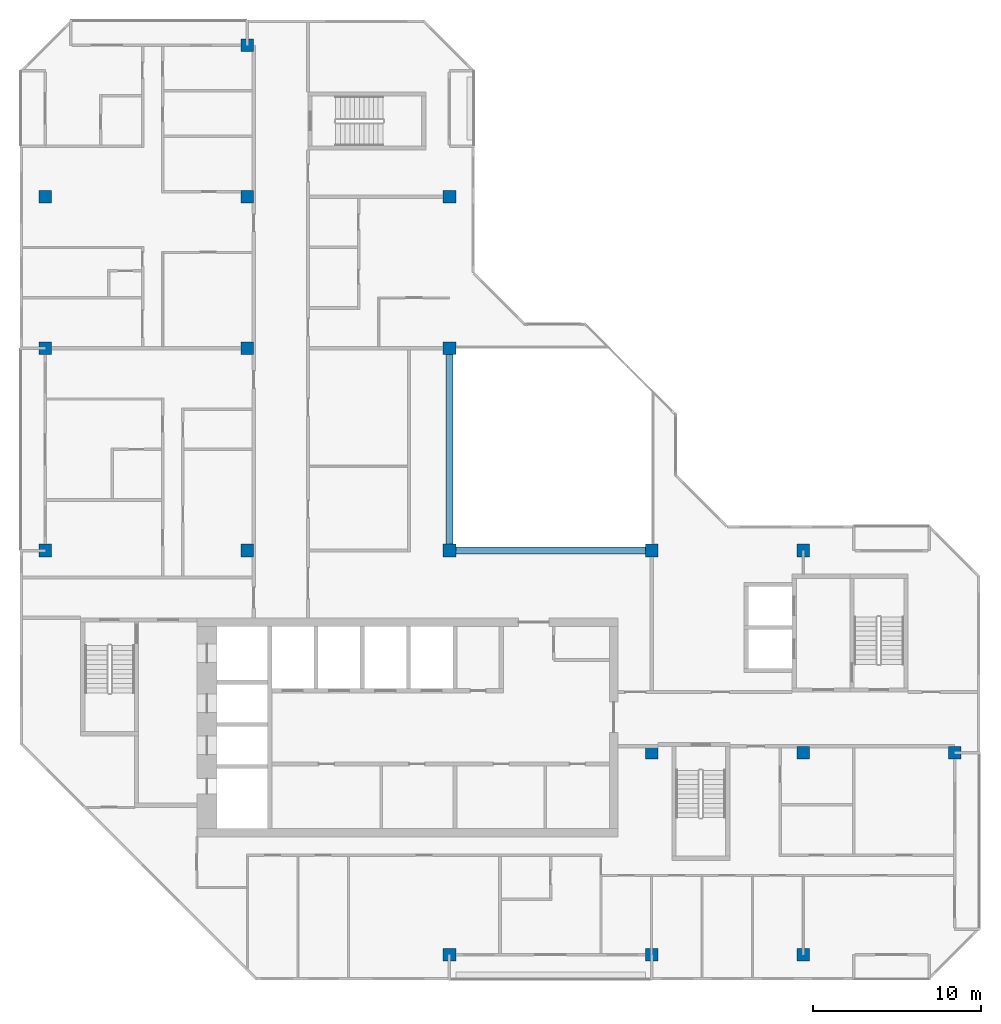
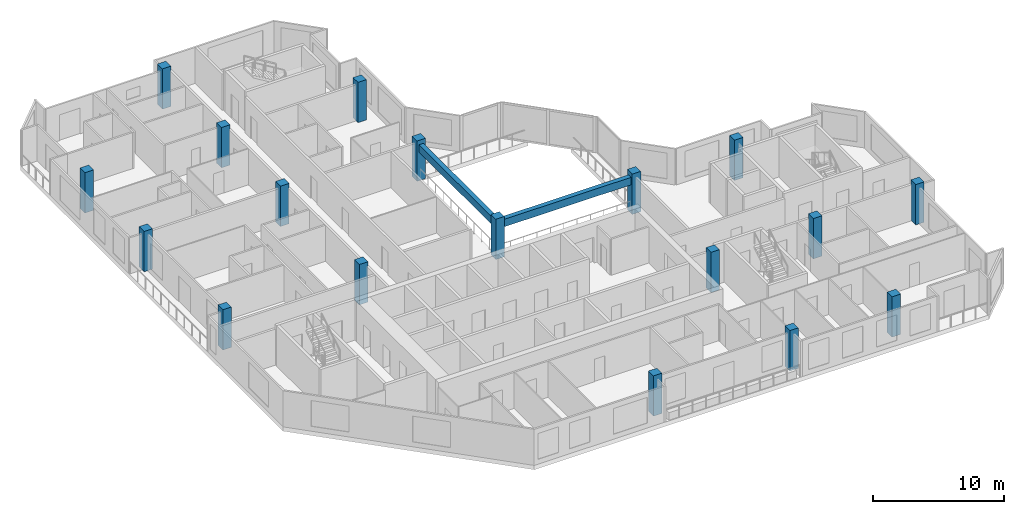
# One storey, part 1 of 12: 18 columns, 2 beams.
"""IFC4 building model written with IfcOpenShell, lengths in metres."""

from ifc_helpers import new_model, si_unit, direction, frame, origin, origin_2d, place, context, subcontext, project, spatial, rectangle, extrude, material, material_profile, profile_set, type_object, element, save


model = new_model("IFC4")

# Units and contexts
model_context = context("Model", 3, precision=1e-05, world=origin(), true_north=direction((0.0, 1.0)))
body_context = subcontext(model_context, "Body", "Model", "MODEL_VIEW")
ifc_project = project(units=[si_unit("LENGTHUNIT", "METRE"), si_unit("AREAUNIT", "SQUARE_METRE"), si_unit("VOLUMEUNIT", "CUBIC_METRE"), si_unit("PLANEANGLEUNIT", "RADIAN"), si_unit("MASSUNIT", "GRAM", prefix="KILO")], contexts=[model_context])

# Site, building, storey
site_placement = place(None, origin())
site = spatial("IfcSite", under=ifc_project, at=site_placement, CompositionType="ELEMENT")
building_placement = place(site_placement, origin())
building = spatial("IfcBuilding", under=site, at=building_placement, Name="Chenar Terraces", CompositionType="ELEMENT")
storey_placement = place(building_placement, frame((0.0, 0.0, 357.64990234375)))
storey = spatial("IfcBuildingStorey", under=building, at=storey_placement, Name="L83", CompositionType="ELEMENT", Elevation=357.64990234375)

# Columns
ifc_material_1 = material(Name="Concrete C50/60", Category="concrete")
ifc_material_profile_1 = material_profile(ifc_material_1, rectangle(XDim=0.75, YDim=0.75, at=origin_2d()), Name="C 750 x 750")
ifc_profile_set_1 = profile_set([ifc_material_profile_1], Name="Concrete C50/60")
column_type = type_object("IfcColumnType", Name="Column C 750 x 750 Concrete C50/60", PredefinedType="COLUMN", material=ifc_profile_set_1)
column_1_placement = place(storey_placement, frame((0.0, 24.0, 0.0), z_axis=(0.0, 0.0, 1.0), x_axis=(1.0, 0.0, 0.0)))
element("IfcColumn", 1, at=column_1_placement, inside=storey, type_object=column_type, Name="Column 5/G L83", PredefinedType="COLUMN", context=body_context, shape_type="SweptSolid", body=[
    extrude(rectangle(XDim=0.75, YDim=0.75, at=origin_2d()), origin(), (0.0, 0.0, 1.0), 3.75),
])
column_2_placement = place(storey_placement, frame((0.0, 36.0, 0.0), z_axis=(0.0, 0.0, 1.0), x_axis=(1.0, 0.0, 0.0)))
element("IfcColumn", 2, at=column_2_placement, inside=storey, type_object=column_type, Name="Column 5/H L83", PredefinedType="COLUMN", context=body_context, shape_type="SweptSolid", body=[
    extrude(rectangle(XDim=0.75, YDim=0.75, at=origin_2d()), origin(), (0.0, 0.0, 1.0), 3.75),
])
for number, where, z_axis, x_axis, name in (
    (3, (0.0, 45.0, 0.0), (0.0, 0.0, 1.0), (1.0, 0.0, 0.0), "Column 5/J L83"),
    (4, (12.0, 24.0, 0.0), (0.0, 0.0, 1.0), (1.0, 0.0, 0.0), "Column 6/G L83"),
    (5, (12.0, 36.0, 0.0), (0.0, 0.0, 1.0), (1.0, 0.0, 0.0), "Column 6/H L83"),
    (6, (12.0, 45.0, 0.0), (0.0, 0.0, 1.0), (1.0, 0.0, 0.0), "Column 6/J L83"),
    (7, (12.0, 54.0, 0.0), (0.0, 0.0, 1.0), (1.0, 0.0, 0.0), "Column 6/K L83"),
    (8, (24.0, 0.0, 0.0), (0.0, 0.0, 1.0), (1.0, 0.0, 0.0), "Column 7/E L83"),
    (9, (24.0, 24.0, 0.0), (0.0, 0.0, 1.0), (1.0, 0.0, 0.0), "Column 7/G L83"),
    (10, (24.0, 36.0, 0.0), (0.0, 0.0, 1.0), (1.0, 0.0, 0.0), "Column 7/H L83"),
    (11, (24.0, 45.0, 0.0), (0.0, 0.0, 1.0), (1.0, 0.0, 0.0), "Column 7/J L83"),
    (12, (36.0, 0.0, 0.0), (0.0, 0.0, 1.0), (1.0, 0.0, 0.0), "Column 8/E L83"),
    (13, (36.0, 12.0, 0.0), (0.0, 0.0, 1.0), (1.0, 0.0, 0.0), "Column 8/F L83"),
    (14, (36.0, 24.0, 0.0), (0.0, 0.0, 1.0), (1.0, 0.0, 0.0), "Column 8/G L83"),
    (15, (45.0, 0.0, 0.0), (0.0, 0.0, 1.0), (1.0, 0.0, 0.0), "Column 9/E L83"),
    (16, (45.0, 12.0, 0.0), (0.0, 0.0, 1.0), (1.0, 0.0, 0.0), "Column 9/F L83"),
    (17, (45.0, 24.0, 0.0), (0.0, 0.0, 1.0), (1.0, 0.0, 0.0), "Column 9/G L83"),
    (18, (54.0, 12.0, 0.0), (0.0, 0.0, 1.0), (1.0, 0.0, 0.0), "Column 10/F L83"),
):
    element("IfcColumn", number, at=place(storey_placement, frame(where, z_axis=z_axis, x_axis=x_axis)), inside=storey, type_object=column_type, Name=name, PredefinedType="COLUMN", context=body_context, shape_type="SweptSolid", body=[
        extrude(rectangle(XDim=0.75, YDim=0.75, at=origin_2d()), origin(), (0.0, 0.0, 1.0), 3.75),
    ])

# Beams
ifc_material_2 = material(Name="Concrete C40/50", Category="concrete")
ifc_material_profile_2 = material_profile(ifc_material_2, rectangle(XDim=0.39990234375, YDim=0.699951171875, at=origin_2d()), Name="RC 400 x 700")
ifc_profile_set_2 = profile_set([ifc_material_profile_2], Name="Concrete C40/50")
beam_type = type_object("IfcBeamType", Name="Atrium edge beam 400 x 700 Concrete C40/50", PredefinedType="BEAM", material=ifc_profile_set_2)
for number, where, z_axis, x_axis, name in (
    (19, (24.375, 24.0, 3.0), (1.0, 0.0, 0.0), (0.0, 1.0, 0.0), "Atrium edge beam L84 1"),
    (20, (24.0, 35.625, 3.0), (0.0, -1.0, 0.0), (1.0, 0.0, 0.0), "Atrium edge beam L84 4"),
):
    element("IfcBeam", number, at=place(storey_placement, frame(where, z_axis=z_axis, x_axis=x_axis)), inside=storey, type_object=beam_type, Name=name, PredefinedType="BEAM", context=body_context, shape_type="SweptSolid", body=[
        extrude(rectangle(XDim=0.39990234375, YDim=0.699951171875, at=origin_2d()), origin(), (0.0, 0.0, 1.0), 11.25),
    ])

save(model, "model.ifc")
